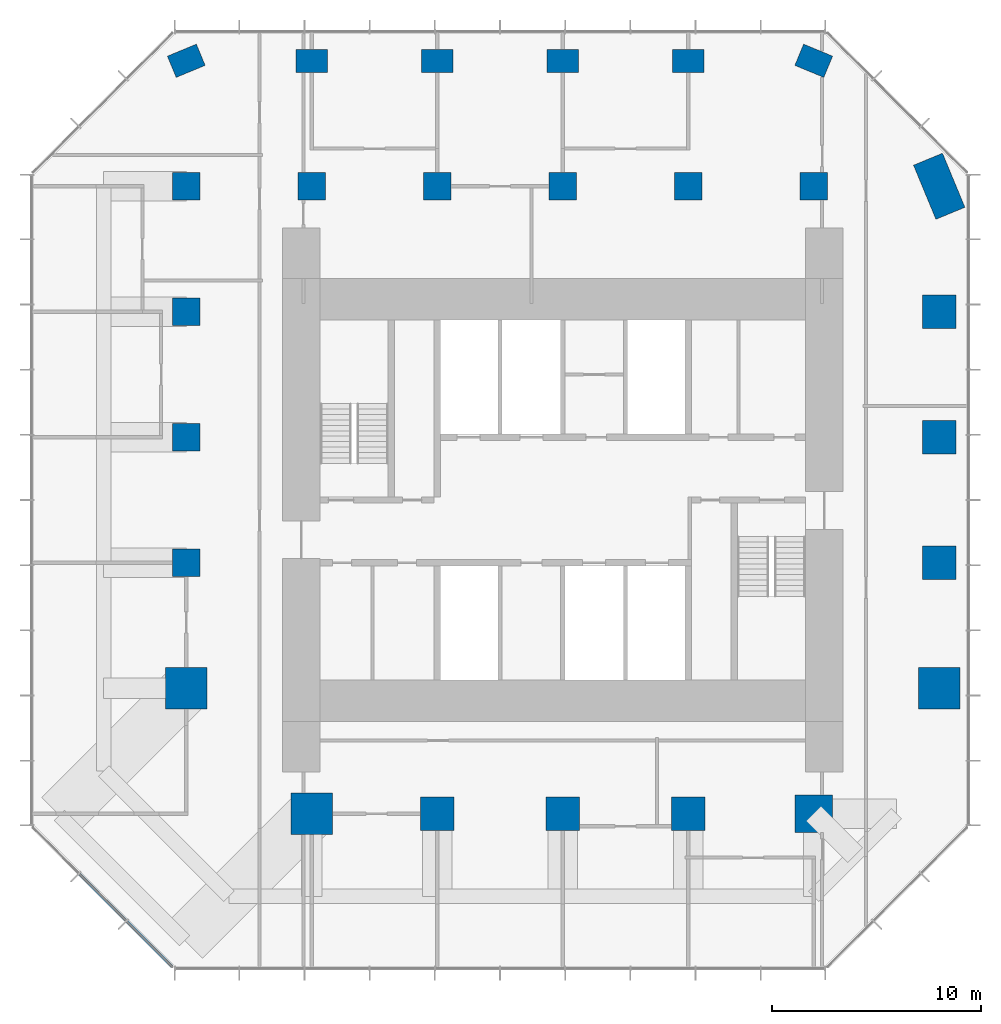
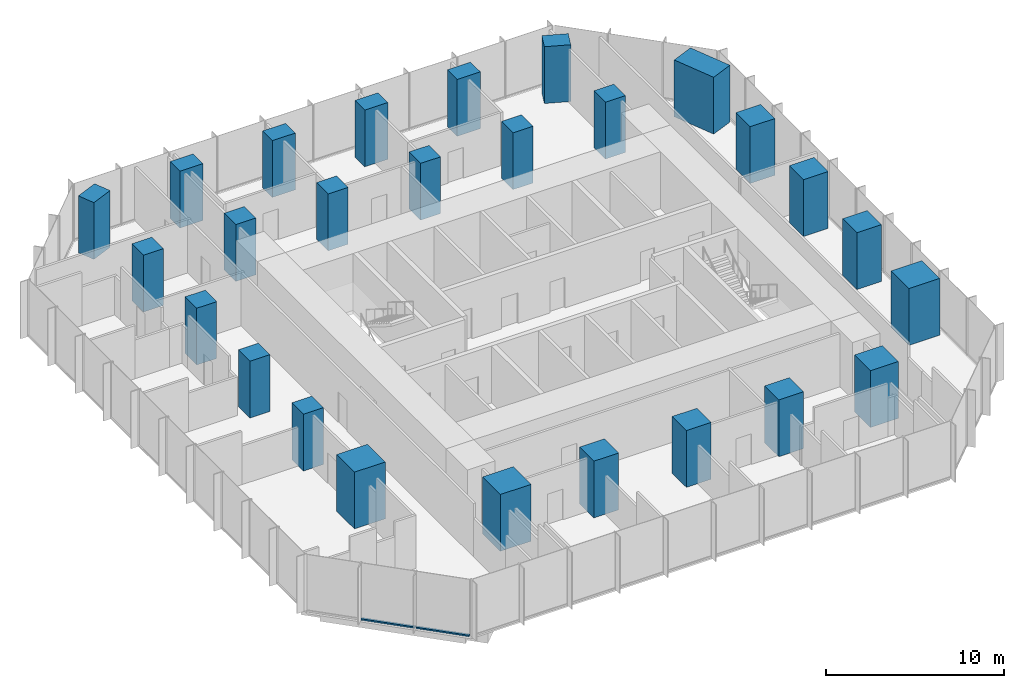
# One storey, part 1 of 12: 26 columns, 2 members, 1 element without a shape of its own.
"""IFC4 building model written with IfcOpenShell, lengths in metres."""

from ifc_helpers import new_model, si_unit, direction, frame, origin, origin_2d, place, context, subcontext, project, spatial, rectangle, extrude, material, layer, layer_set, material_profile, profile_set, type_object, element, aggregate, save


model = new_model("IFC4")

# Units and contexts
model_context = context("Model", 3, precision=1e-05, world=origin(), true_north=direction((0.0, 1.0)))
body_context = subcontext(model_context, "Body", "Model", "MODEL_VIEW")
ifc_project = project(units=[si_unit("LENGTHUNIT", "METRE"), si_unit("AREAUNIT", "SQUARE_METRE"), si_unit("VOLUMEUNIT", "CUBIC_METRE"), si_unit("PLANEANGLEUNIT", "RADIAN"), si_unit("MASSUNIT", "GRAM", prefix="KILO")], contexts=[model_context])

# Site, building, storey
site_placement = place(None, origin())
site = spatial("IfcSite", under=ifc_project, at=site_placement, CompositionType="ELEMENT")
building_placement = place(site_placement, origin())
building = spatial("IfcBuilding", under=site, at=building_placement, Name="Highveld Stack Headquarters", CompositionType="ELEMENT")
storey_placement = place(building_placement, frame((0.0, 0.0, 231.800048828125)))
storey = spatial("IfcBuildingStorey", under=building, at=storey_placement, Name="L57", CompositionType="ELEMENT", Elevation=231.800048828125)

# Columns
ifc_material_1 = material(Name="Concrete C60/75", Category="concrete")
ifc_material_profile_1 = material_profile(ifc_material_1, rectangle(XDim=1.300048828125, YDim=1.300048828125, at=origin_2d()), Name="RC 1300x1300")
ifc_profile_set_1 = profile_set([ifc_material_profile_1], Name="Concrete C60/75")
column_type_1 = type_object("IfcColumnType", Name="COLUMN RC 1300x1300 C60/75", PredefinedType="COLUMN", material=ifc_profile_set_1)
for number, where, z_axis, x_axis, name in (
    (1, (-12.0, 0.0, 0.0), (0.0, 0.0, 1.0), (1.0, 0.0, 0.0), "Column 4/E L57"),
    (2, (-12.0, 6.0, 0.0), (0.0, 0.0, 1.0), (1.0, 0.0, 0.0), "Column 4/F L57"),
    (3, (-12.0, 12.0, 0.0), (0.0, 0.0, 1.0), (1.0, 0.0, 0.0), "Column 4/G L57"),
    (4, (-12.0, 18.0, 0.0), (0.0, 0.0, 1.0), (1.0, 0.0, 0.0), "Column 4/H L57"),
    (5, (-6.0, 18.0, 0.0), (0.0, 0.0, 1.0), (1.0, 0.0, 0.0), "Column 5/H L57"),
    (6, (0.0, 18.0, 0.0), (0.0, 0.0, 1.0), (1.0, 0.0, 0.0), "Column 6/H L57"),
    (7, (6.0, 18.0, 0.0), (0.0, 0.0, 1.0), (1.0, 0.0, 0.0), "Column 7/H L57"),
    (8, (12.0, 18.0, 0.0), (0.0, 0.0, 1.0), (1.0, 0.0, 0.0), "Column 8/H L57"),
    (9, (18.0, 18.0, 0.0), (0.0, 0.0, 1.0), (1.0, 0.0, 0.0), "Column 9/H L57"),
):
    element("IfcColumn", number, at=place(storey_placement, frame(where, z_axis=z_axis, x_axis=x_axis)), inside=storey, type_object=column_type_1, Name=name, PredefinedType="COLUMN", context=body_context, shape_type="SweptSolid", body=[
        extrude(rectangle(XDim=1.300048828125, YDim=1.300048828125, at=origin_2d()), origin(), (0.0, 0.0, 1.0), 3.89990234375),
    ])
ifc_material_2 = material(Name="Concrete C60/75", Category="concrete")
ifc_material_profile_2 = material_profile(ifc_material_2, rectangle(XDim=1.5, YDim=1.10009765625, at=origin_2d()), Name="RC 1500x1100")
ifc_profile_set_2 = profile_set([ifc_material_profile_2], Name="Concrete C60/75")
column_type_2 = type_object("IfcColumnType", Name="COLUMN RC 1500x1100 C60/75", PredefinedType="COLUMN", material=ifc_profile_set_2)
for number, where, z_axis, x_axis, name in (
    (10, (-12.0, 24.0, 0.0), (0.0, 0.0, 1.0), (0.923879532511, 0.382683432365, 0.0), "Column 4/J L57"),
    (11, (-6.0, 24.0, 0.0), (0.0, 0.0, 1.0), (1.0, 0.0, 0.0), "Column 5/J L57"),
    (12, (0.0, 24.0, 0.0), (0.0, 0.0, 1.0), (1.0, 0.0, 0.0), "Column 6/J L57"),
    (13, (6.0, 24.0, 0.0), (0.0, 0.0, 1.0), (1.0, 0.0, 0.0), "Column 7/J L57"),
    (14, (12.0, 24.0, 0.0), (0.0, 0.0, 1.0), (1.0, 0.0, 0.0), "Column 8/J L57"),
    (15, (18.0, 24.0, 0.0), (0.0, 0.0, 1.0), (0.923879532511, -0.382683432365, 0.0), "Column 9/J L57"),
):
    element("IfcColumn", number, at=place(storey_placement, frame(where, z_axis=z_axis, x_axis=x_axis)), inside=storey, type_object=column_type_2, Name=name, PredefinedType="COLUMN", context=body_context, shape_type="SweptSolid", body=[
        extrude(rectangle(XDim=1.5, YDim=1.10009765625, at=origin_2d()), origin(), (0.0, 0.0, 1.0), 3.89990234375),
    ])
ifc_material_3 = material(Name="Concrete C60/75", Category="concrete")
ifc_material_profile_3 = material_profile(ifc_material_3, rectangle(XDim=1.60009765625, YDim=1.60009765625, at=origin_2d()), Name="RC 1600x1600")
ifc_profile_set_3 = profile_set([ifc_material_profile_3], Name="Concrete C60/75")
column_type_3 = type_object("IfcColumnType", Name="COLUMN RC 1600x1600 C60/75", PredefinedType="COLUMN", material=ifc_profile_set_3)
for number, where, z_axis, x_axis, name in (
    (16, (0.0, -12.0, 0.0), (0.0, 0.0, 1.0), (1.0, 0.0, 0.0), "Column 6/C L57"),
    (17, (6.0, -12.0, 0.0), (0.0, 0.0, 1.0), (1.0, 0.0, 0.0), "Column 7/C L57"),
    (18, (12.0, -12.0, 0.0), (0.0, 0.0, 1.0), (1.0, 0.0, 0.0), "Column 8/C L57"),
    (19, (24.0, 0.0, 0.0), (0.0, 0.0, 1.0), (1.0, 0.0, 0.0), "Column 10/E L57"),
    (20, (24.0, 6.0, 0.0), (0.0, 0.0, 1.0), (1.0, 0.0, 0.0), "Column 10/F L57"),
    (21, (24.0, 12.0, 0.0), (0.0, 0.0, 1.0), (1.0, 0.0, 0.0), "Column 10/G L57"),
):
    element("IfcColumn", number, at=place(storey_placement, frame(where, z_axis=z_axis, x_axis=x_axis)), inside=storey, type_object=column_type_3, Name=name, PredefinedType="COLUMN", context=body_context, shape_type="SweptSolid", body=[
        extrude(rectangle(XDim=1.60009765625, YDim=1.60009765625, at=origin_2d()), origin(), (0.0, 0.0, 1.0), 3.89990234375),
    ])
ifc_material_4 = material(Name="Concrete C60/75", Category="concrete")
ifc_material_profile_4 = material_profile(ifc_material_4, rectangle(XDim=1.800048828125, YDim=1.800048828125, at=origin_2d()), Name="RC 1800x1800")
ifc_profile_set_4 = profile_set([ifc_material_profile_4], Name="Concrete C60/75")
column_type_4 = type_object("IfcColumnType", Name="COLUMN RC 1800x1800 C60/75", PredefinedType="COLUMN", material=ifc_profile_set_4)
column_1_placement = place(storey_placement, frame((18.0, -12.0, 0.0), z_axis=(0.0, 0.0, 1.0), x_axis=(1.0, 0.0, 0.0)))
element("IfcColumn", 22, at=column_1_placement, inside=storey, type_object=column_type_4, Name="Column 9/C L57", PredefinedType="COLUMN", context=body_context, shape_type="SweptSolid", body=[
    extrude(rectangle(XDim=1.800048828125, YDim=1.800048828125, at=origin_2d()), origin(), (0.0, 0.0, 1.0), 3.89990234375),
])
ifc_material_5 = material(Name="Concrete C60/75", Category="concrete")
ifc_material_profile_5 = material_profile(ifc_material_5, rectangle(XDim=2.0, YDim=2.0, at=origin_2d()), Name="RC 2000x2000")
ifc_profile_set_5 = profile_set([ifc_material_profile_5], Name="Concrete C60/75")
column_type_5 = type_object("IfcColumnType", Name="COLUMN RC 2000x2000 C60/75", PredefinedType="COLUMN", material=ifc_profile_set_5)
for number, where, z_axis, x_axis, name in (
    (23, (-12.0, -6.0, 0.0), (0.0, 0.0, 1.0), (1.0, 0.0, 0.0), "Column 4/D L57"),
    (24, (-6.0, -12.0, 0.0), (0.0, 0.0, 1.0), (1.0, 0.0, 0.0), "Column 5/C L57"),
    (25, (24.0, -6.0, 0.0), (0.0, 0.0, 1.0), (1.0, 0.0, 0.0), "Column 10/D L57"),
):
    element("IfcColumn", number, at=place(storey_placement, frame(where, z_axis=z_axis, x_axis=x_axis)), inside=storey, type_object=column_type_5, Name=name, PredefinedType="COLUMN", context=body_context, shape_type="SweptSolid", body=[
        extrude(rectangle(XDim=2.0, YDim=2.0, at=origin_2d()), origin(), (0.0, 0.0, 1.0), 3.89990234375),
    ])
ifc_material_6 = material(Name="Concrete C60/75", Category="concrete")
ifc_material_profile_6 = material_profile(ifc_material_6, rectangle(XDim=2.800048828125, YDim=1.5, at=origin_2d()), Name="RC 2800x1500")
ifc_profile_set_6 = profile_set([ifc_material_profile_6], Name="Concrete C60/75")
column_type_6 = type_object("IfcColumnType", Name="COLUMN RC 2800x1500 C60/75", PredefinedType="COLUMN", material=ifc_profile_set_6)
column_2_placement = place(storey_placement, frame((24.0, 18.0, 0.0), z_axis=(0.0, 0.0, 1.0), x_axis=(0.382683432365, -0.923879532511, 0.0)))
element("IfcColumn", 26, at=column_2_placement, inside=storey, type_object=column_type_6, Name="Column 10/H L57", PredefinedType="COLUMN", context=body_context, shape_type="SweptSolid", body=[
    extrude(rectangle(XDim=2.800048828125, YDim=1.5, at=origin_2d()), origin(), (0.0, 0.0, 1.0), 3.89990234375),
])

# Curtain wall, members
ifc_material_7 = material(Name="Aluminium bronze anodised", Category="aluminium")
ifc_layer = layer(ifc_material_7, 0.199951171875)
ifc_layer_set = layer_set([ifc_layer], Name="Aluminium bronze anodised")
curtain_wall_type = type_object("IfcCurtainWallType", Name="CW2 TOWER CHAMFER UNITISED CURTAIN WALL", PredefinedType="NOTDEFINED", material=ifc_layer_set)
curtain_wall_placement = place(storey_placement, origin())
curtain_wall = element("IfcCurtainWall", 27, at=curtain_wall_placement, inside=storey, type_object=curtain_wall_type, Name="Curtain wall CW2 L57 SW", PredefinedType="NOTDEFINED")
ifc_material_8 = material(Name="Aluminium bronze anodised", Category="aluminium")
ifc_material_profile_7 = material_profile(ifc_material_8, rectangle(XDim=0.14990234375, YDim=0.10009765625, at=origin_2d()), Name="CW2 TRANSOM 150x100")
ifc_profile_set_7 = profile_set([ifc_material_profile_7], Name="Aluminium bronze anodised")
member_type = type_object("IfcMemberType", Name="CW2 STACK TRANSOM 150x100", PredefinedType="USERDEFINED", material=ifc_profile_set_7)
member_1_placement = place(storey_placement, frame((-17.103759765625, -14.876220703125, 0.050048828125), z_axis=(0.707106781187, -0.707106781187, 0.0), x_axis=(0.707106781187, 0.707106781187, 0.0)))
member_1 = element("IfcMember", 28, at=member_1_placement, type_object=member_type, Name="CW2 transom L57 2.1", ObjectType="TRANSOM", PredefinedType="USERDEFINED", context=body_context, shape_type="SweptSolid", body=[
    extrude(rectangle(XDim=0.14990234375, YDim=0.10009765625, at=origin_2d()), origin(), (0.0, 0.0, 1.0), 3.150146484375),
])
member_2_placement = place(storey_placement, frame((-14.830322265625, -17.149658203125, 0.050048828125), z_axis=(0.707106781187, -0.707106781187, 0.0), x_axis=(0.707106781187, 0.707106781187, 0.0)))
member_2 = element("IfcMember", 29, at=member_2_placement, type_object=member_type, Name="CW2 transom L57 3.1", ObjectType="TRANSOM", PredefinedType="USERDEFINED", context=body_context, shape_type="SweptSolid", body=[
    extrude(rectangle(XDim=0.14990234375, YDim=0.10009765625, at=origin_2d()), origin(), (0.0, 0.0, 1.0), 3.08251953125),
])
aggregate(curtain_wall, [member_1, member_2])

save(model, "model.ifc")
